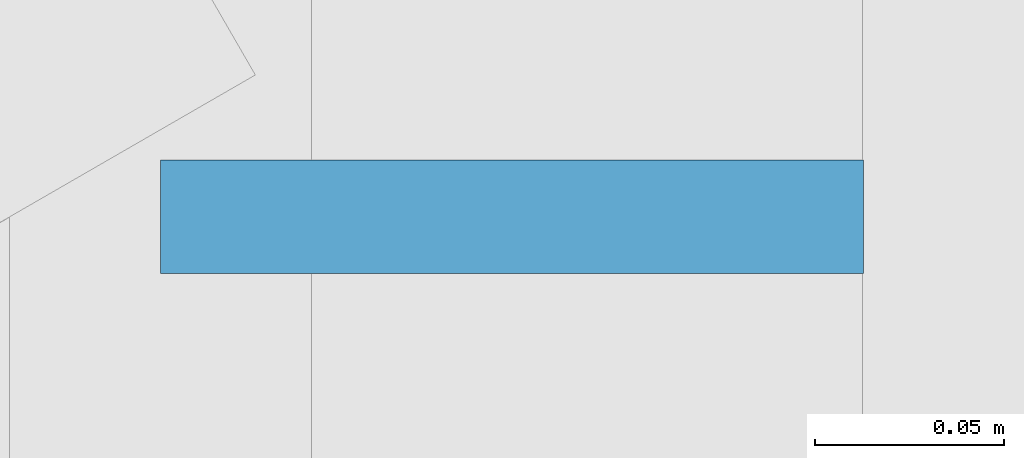
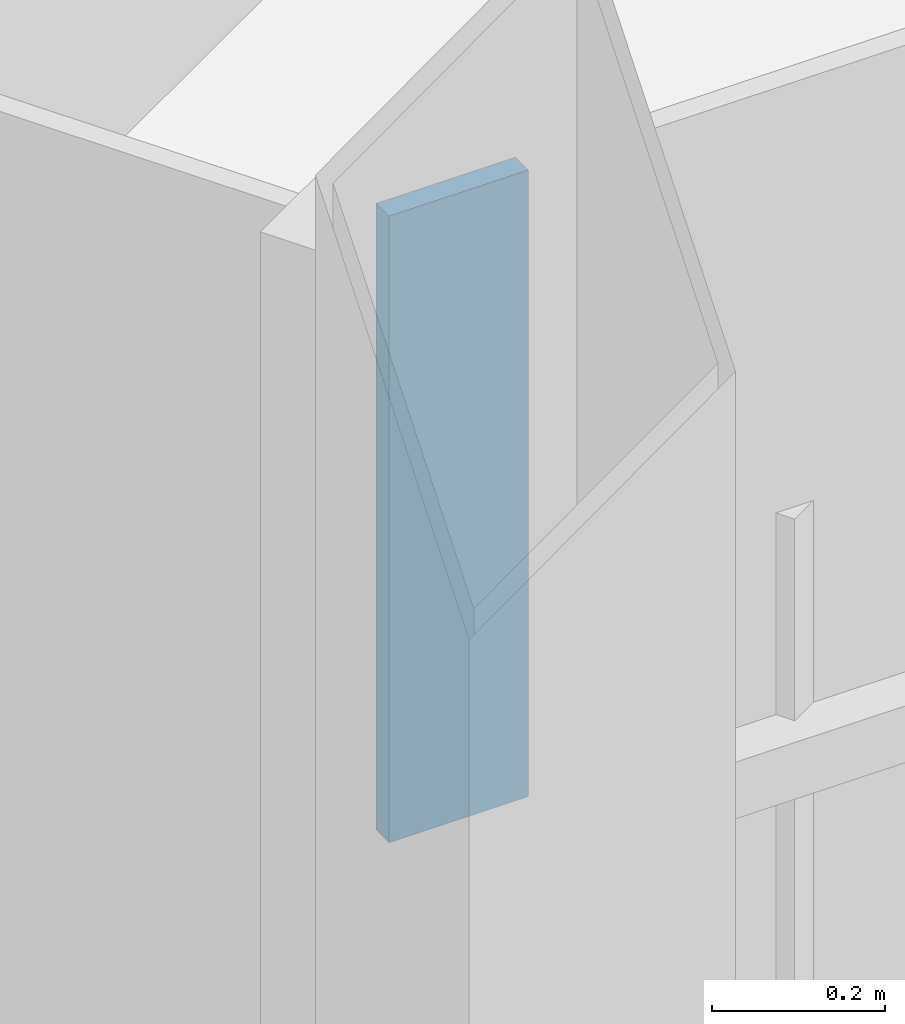
# One storey, part 16 of 23: 1 plate, 1 element without a shape of its own.
"""IFC4 building model written with IfcOpenShell, lengths in metres."""

from ifc_helpers import new_model, si_unit, direction, frame, origin, place, context, subcontext, project, spatial, polyline, outline, extrude, material, layer, layer_set, type_object, element, aggregate, save


model = new_model("IFC4")

# Units and contexts
model_context = context("Model", 3, precision=1e-05, world=origin(), true_north=direction((0.0, 1.0)))
body_context = subcontext(model_context, "Body", "Model", "MODEL_VIEW")
ifc_project = project(units=[si_unit("LENGTHUNIT", "METRE"), si_unit("AREAUNIT", "SQUARE_METRE"), si_unit("VOLUMEUNIT", "CUBIC_METRE"), si_unit("PLANEANGLEUNIT", "RADIAN"), si_unit("MASSUNIT", "GRAM", prefix="KILO")], contexts=[model_context])

# Site, building, storey
site_placement = place(None, origin())
site = spatial("IfcSite", under=ifc_project, at=site_placement, CompositionType="ELEMENT")
building_placement = place(site_placement, origin())
building = spatial("IfcBuilding", under=site, at=building_placement, Name="Firuza Gate Tower and Library", CompositionType="ELEMENT")
storey_placement = place(building_placement, frame((0.0, 0.0, 312.60009765625)))
storey = spatial("IfcBuildingStorey", under=building, at=storey_placement, Name="L76", CompositionType="ELEMENT", Elevation=312.60009765625)

# Curtain wall, plate
ifc_material_1 = material(Name="Aluminium 6063-T6", Category="aluminium")
ifc_layer_1 = layer(ifc_material_1, 0.14990234375)
ifc_layer_set_1 = layer_set([ifc_layer_1], Name="Unitised curtain wall, residences")
curtain_wall_type = type_object("IfcCurtainWallType", Name="Unitised curtain wall, residences", PredefinedType="NOTDEFINED", material=ifc_layer_set_1)
curtain_wall_placement = place(storey_placement, origin())
curtain_wall = element("IfcCurtainWall", 1, at=curtain_wall_placement, inside=storey, type_object=curtain_wall_type, Name="CW3 L76 S face", PredefinedType="NOTDEFINED")
ifc_material_2 = material(Name="Glazed ceramic tile")
ifc_layer_2 = layer(ifc_material_2, 0.030029296875)
ifc_layer_set_2 = layer_set([ifc_layer_2], Name="Opaque ceramic panel, residences")
plate_type = type_object("IfcPlateType", Name="Opaque ceramic panel, residences", PredefinedType="CURTAIN_PANEL", material=ifc_layer_set_2)
plate_placement = place(storey_placement, frame((54.276611328125, 58.790283203125, 2.414794921875), z_axis=(0.0, -1.0, 0.0), x_axis=(1.0, 0.0, 0.0)))
plate = element("IfcPlate", 2, at=plate_placement, type_object=plate_type, Name="Opaque ceramic panel", PredefinedType="CURTAIN_PANEL", context=body_context, shape_type="SweptSolid", body=[
    extrude(outline(polyline([(0.0, 0.0), (0.186279296875, 0.0), (0.186279296875, 0.885009765625), (0.0, 0.885009765625), (0.0, 0.0)])), origin(), (0.0, 0.0, -1.0), 0.030029296875),
])
aggregate(curtain_wall, [plate])

save(model, "model.ifc")
